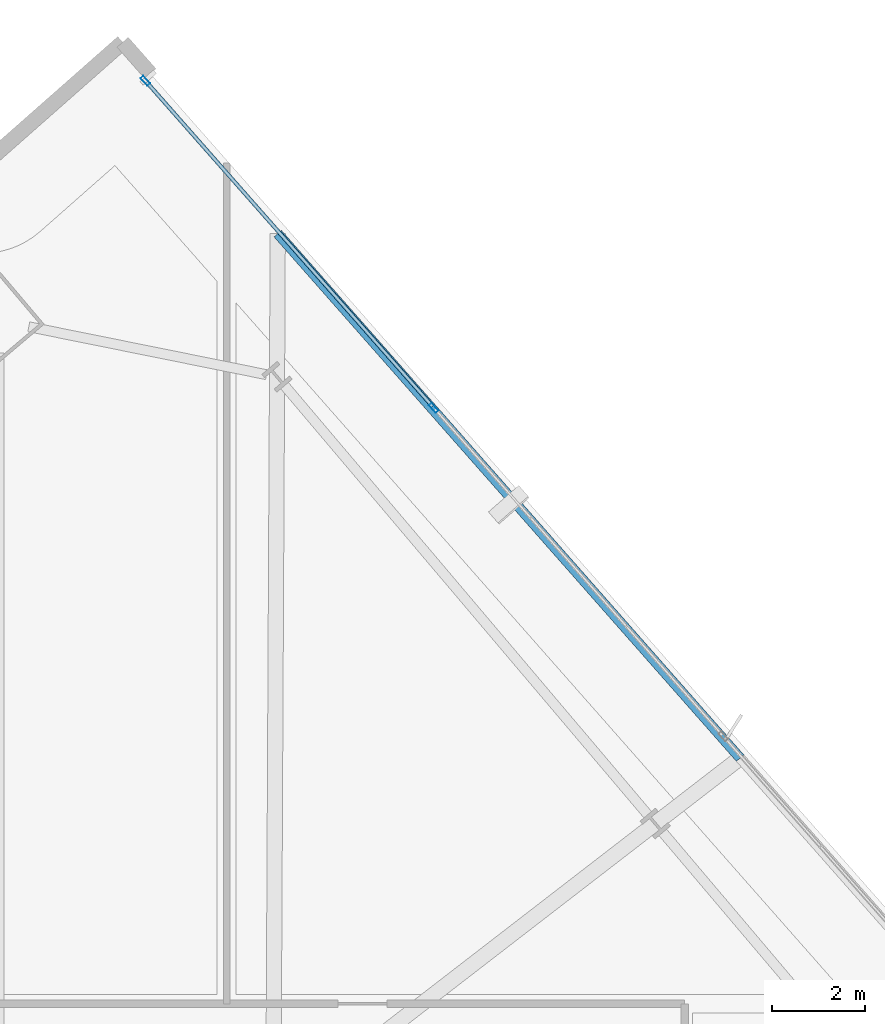
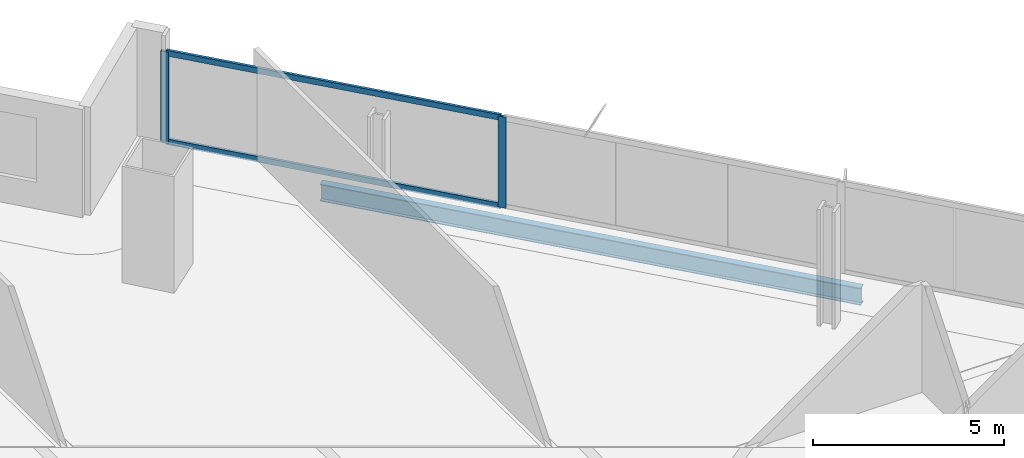
# One storey, part 24 of 34: 4 members, 1 beam, 1 element without a shape of its own.
"""IFC4 building model written with IfcOpenShell, lengths in metres."""

from ifc_helpers import new_model, si_unit, direction, frame, origin, origin_2d, place, context, subcontext, project, spatial, hollow_rectangle, i_section, extrude, material, material_profile, profile_set, type_object, element, aggregate, save


model = new_model("IFC4")

# Units and contexts
model_context = context("Model", 3, precision=1e-05, world=origin(), true_north=direction((0.0, 1.0)))
body_context = subcontext(model_context, "Body", "Model", "MODEL_VIEW")
ifc_project = project(units=[si_unit("LENGTHUNIT", "METRE"), si_unit("AREAUNIT", "SQUARE_METRE"), si_unit("VOLUMEUNIT", "CUBIC_METRE"), si_unit("PLANEANGLEUNIT", "RADIAN"), si_unit("MASSUNIT", "GRAM", prefix="KILO")], contexts=[model_context])

# Site, building, storey
site_placement = place(None, origin())
site = spatial("IfcSite", under=ifc_project, at=site_placement, CompositionType="ELEMENT")
building_placement = place(site_placement, origin())
building = spatial("IfcBuilding", under=site, at=building_placement, Name="Haldenkirk Collegiate Tower", CompositionType="ELEMENT")
storey_placement = place(building_placement, frame((0.0, 0.0, 166.949951171875)))
storey = spatial("IfcBuildingStorey", under=building, at=storey_placement, Name="L41", CompositionType="ELEMENT", Elevation=166.949951171875)

# Beam
ifc_material_1 = material(Name="Steel ASTM A992 Grade 50", Category="steel")
ifc_material_profile_1 = material_profile(ifc_material_1, i_section(OverallWidth=0.2119140625, OverallDepth=0.5439453125, WebThickness=0.01318359375, FlangeThickness=0.021240234375, at=origin_2d()), Name="W21X83")
ifc_profile_set_1 = profile_set([ifc_material_profile_1], Name="Steel ASTM A992 Grade 50")
beam_type = type_object("IfcBeamType", Name="BM-SPANDREL-W21X83", PredefinedType="SPANDREL", material=ifc_profile_set_1)
beam_placement = place(storey_placement, frame((54.986328125, 41.708251953125, -0.56201171875), z_axis=(-0.66131277648, 0.750110266337, 0.0), x_axis=(-0.750110266337, -0.66131277648, 0.0)))
element("IfcBeam", 1, at=beam_placement, inside=storey, type_object=beam_type, Name="L41 outer facade edge beam 2B", PredefinedType="SPANDREL", context=body_context, shape_type="SweptSolid", body=[
    extrude(i_section(OverallWidth=0.2119140625, OverallDepth=0.5439453125, WebThickness=0.01318359375, FlangeThickness=0.021240234375, at=origin_2d()), origin(), (0.0, 0.0, 1.0), 14.956787109375),
])

# Curtain wall, members
ifc_material_2 = material(Name="Anodised architectural bronze aluminium", Category="aluminium")
curtain_wall_type = type_object("IfcCurtainWallType", Name="CW-SYS1-CONVEX-LOW", PredefinedType="USERDEFINED", material=ifc_material_2)
curtain_wall_placement = place(storey_placement, origin())
curtain_wall = element("IfcCurtainWall", 2, at=curtain_wall_placement, inside=storey, type_object=curtain_wall_type, Name="L41 Lower tower convex bronze-framed unitised curtain wall", ObjectType="UNITISED CURTAIN WALL", PredefinedType="USERDEFINED")
ifc_material_profile_2 = material_profile(ifc_material_2, hollow_rectangle(XDim=0.080078125, YDim=0.219970703125, WallThickness=0.0048828125, at=origin_2d()), Name="CW-MUL-1A")
ifc_profile_set_2 = profile_set([ifc_material_profile_2], Name="Anodised architectural bronze aluminium")
member_type_1 = type_object("IfcMemberType", Name="CW-MUL-1A", PredefinedType="MULLION", material=ifc_profile_set_2)
member_1_placement = place(storey_placement, frame((42.264404296875, 56.19921875, 0.0), z_axis=(0.0, 0.0, 1.0), x_axis=(0.750111591701, 0.66131127315, 0.0)))
member_1 = element("IfcMember", 3, at=member_1_placement, type_object=member_type_1, Name="CW-1A mullion 1", PredefinedType="MULLION", context=body_context, shape_type="SweptSolid", body=[
    extrude(hollow_rectangle(XDim=0.080078125, YDim=0.219970703125, WallThickness=0.0048828125, at=origin_2d()), origin(), (0.0, 0.0, 1.0), 2.9111328125),
])
member_2_placement = place(storey_placement, frame((48.43359375, 49.20166015625, 0.0), z_axis=(0.0, 0.0, 1.0), x_axis=(0.750111591701, 0.66131127315, 0.0)))
member_2 = element("IfcMember", 4, at=member_2_placement, type_object=member_type_1, Name="CW-1A mullion 2", PredefinedType="MULLION", context=body_context, shape_type="SweptSolid", body=[
    extrude(hollow_rectangle(XDim=0.080078125, YDim=0.219970703125, WallThickness=0.0048828125, at=origin_2d()), origin(), (0.0, 0.0, 1.0), 2.9111328125),
])
ifc_material_profile_3 = material_profile(ifc_material_2, hollow_rectangle(XDim=0.080078125, YDim=0.179931640625, WallThickness=0.0048828125, at=origin_2d()), Name="CW-TRN-1A")
ifc_profile_set_3 = profile_set([ifc_material_profile_3], Name="Anodised architectural bronze aluminium")
member_type_2 = type_object("IfcMemberType", Name="CW-TRN-1A", PredefinedType="USERDEFINED", material=ifc_profile_set_3)
member_3_placement = place(storey_placement, frame((42.290771484375, 56.169189453125, 0.0400390625), z_axis=(0.661325620035, -0.750098942997, 0.0), x_axis=(0.750098942997, 0.661325620035, 0.0)))
member_3 = element("IfcMember", 5, at=member_3_placement, type_object=member_type_2, Name="CW-1A transom 1.1", ObjectType="TRANSOM", PredefinedType="USERDEFINED", context=body_context, shape_type="SweptSolid", body=[
    extrude(hollow_rectangle(XDim=0.080078125, YDim=0.179931640625, WallThickness=0.0048828125, at=origin_2d()), origin(), (0.0, 0.0, 1.0), 9.248779296875),
])
member_4_placement = place(storey_placement, frame((42.290771484375, 56.169189453125, 2.87109375), z_axis=(0.661325620035, -0.750098942997, 0.0), x_axis=(0.750098942997, 0.661325620035, 0.0)))
member_4 = element("IfcMember", 6, at=member_4_placement, type_object=member_type_2, Name="CW-1A transom 1.2", ObjectType="TRANSOM", PredefinedType="USERDEFINED", context=body_context, shape_type="SweptSolid", body=[
    extrude(hollow_rectangle(XDim=0.080078125, YDim=0.179931640625, WallThickness=0.0048828125, at=origin_2d()), origin(), (0.0, 0.0, 1.0), 9.248779296875),
])
aggregate(curtain_wall, [member_1, member_2, member_3, member_4])

save(model, "model.ifc")
